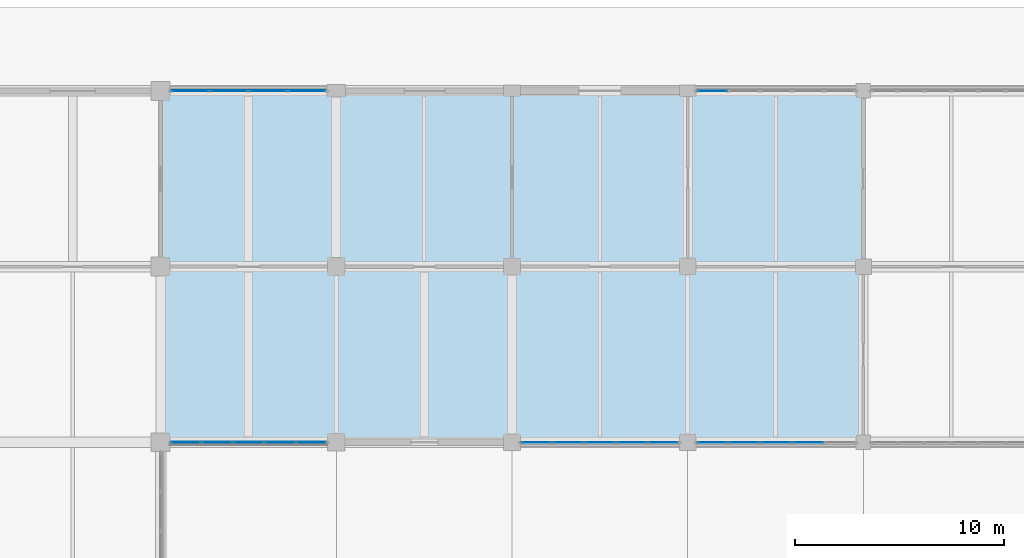
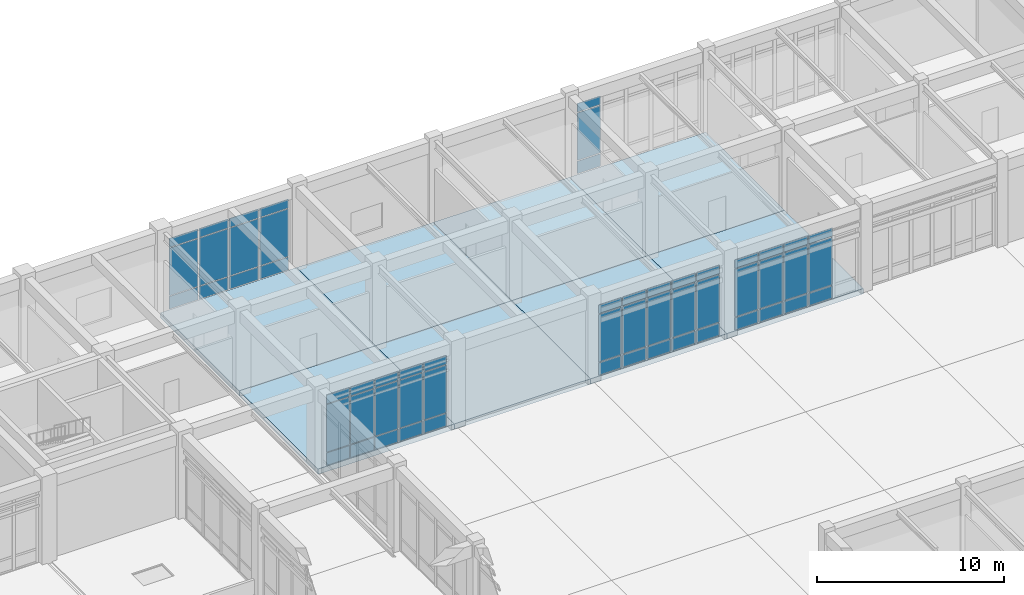
# One storey, part 63 of 91: 57 plates, 8 slabs, 5 elements without a shape of their own.
"""IFC4 building model written with IfcOpenShell, lengths in metres."""

from ifc_helpers import new_model, si_unit, direction, frame, origin, origin_2d, place, context, subcontext, project, spatial, polyline, rectangle, outline, extrude, material, layer, layer_set, type_object, element, aggregate, save


model = new_model("IFC4")

# Units and contexts
model_context = context("Model", 3, precision=1e-05, world=origin(), true_north=direction((0.0, 1.0)))
body_context = subcontext(model_context, "Body", "Model", "MODEL_VIEW")
ifc_project = project(units=[si_unit("LENGTHUNIT", "METRE"), si_unit("AREAUNIT", "SQUARE_METRE"), si_unit("VOLUMEUNIT", "CUBIC_METRE"), si_unit("PLANEANGLEUNIT", "RADIAN"), si_unit("MASSUNIT", "GRAM", prefix="KILO")], contexts=[model_context])

# Site, building, storey
site_placement = place(None, origin())
site = spatial("IfcSite", under=ifc_project, at=site_placement, CompositionType="ELEMENT")
building_placement = place(site_placement, origin())
building = spatial("IfcBuilding", under=site, at=building_placement, Name="Porcellanite Civic Hall", CompositionType="ELEMENT")
storey_placement = place(building_placement, origin())
storey = spatial("IfcBuildingStorey", under=building, at=storey_placement, Name="L00", CompositionType="ELEMENT", Elevation=0.0)

# Curtain wall, plates
ifc_material_1 = material(Name="Anodised aluminium and solar laminated glass", Category="aluminium")
ifc_layer_1 = layer(ifc_material_1, 0.179931640625)
ifc_layer_set_1 = layer_set([ifc_layer_1], Name="Anodised aluminium and solar laminated glass")
curtain_wall_type_1 = type_object("IfcCurtainWallType", Name="CW-SYS02", PredefinedType="NOTDEFINED", material=ifc_layer_set_1)
curtain_wall_1_placement = place(storey_placement, origin())
curtain_wall_1 = element("IfcCurtainWall", 1, at=curtain_wall_1_placement, inside=storey, type_object=curtain_wall_type_1, Name="Curtain wall CW-051", PredefinedType="NOTDEFINED")
ifc_material_2 = material(Name="Cyclone laminated solar-control low-E glass", Category="glass")
ifc_layer_2 = layer(ifc_material_2, 0.02587890625)
ifc_layer_set_2 = layer_set([ifc_layer_2], Name="Cyclone laminated solar-control low-E glass")
plate_type_1 = type_object("IfcPlateType", Name="CWP-02", PredefinedType="CURTAIN_PANEL", material=ifc_layer_set_2)
plate_1_placement = place(storey_placement, frame((150.0205078125, 100.800048828125, 0.06494140625), z_axis=(0.0, 0.0, 1.0), x_axis=(-1.0, 0.0, 0.0)))
plate_1 = element("IfcPlate", 2, at=plate_1_placement, type_object=plate_type_1, Name="CW-051 panel 1.1", PredefinedType="CURTAIN_PANEL", context=body_context, shape_type="SweptSolid", body=[
    extrude(rectangle(XDim=1.406982421875, YDim=0.02587890625, at=origin_2d()), origin(), (0.0, 0.0, 1.0), 0.802490234375),
])
plate_2_placement = place(storey_placement, frame((150.0205078125, 100.800048828125, 0.9326171875), z_axis=(0.0, 0.0, 1.0), x_axis=(-1.0, 0.0, 0.0)))
plate_2 = element("IfcPlate", 3, at=plate_2_placement, type_object=plate_type_1, Name="CW-051 panel 1.2", PredefinedType="CURTAIN_PANEL", context=body_context, shape_type="SweptSolid", body=[
    extrude(rectangle(XDim=1.406982421875, YDim=0.02587890625, at=origin_2d()), origin(), (0.0, 0.0, 1.0), 3.0849609375),
])
plate_3_placement = place(storey_placement, frame((150.0205078125, 100.800048828125, 4.08251953125), z_axis=(0.0, 0.0, 1.0), x_axis=(-1.0, 0.0, 0.0)))
plate_3 = element("IfcPlate", 4, at=plate_3_placement, type_object=plate_type_1, Name="CW-051 panel 1.3", PredefinedType="CURTAIN_PANEL", context=body_context, shape_type="SweptSolid", body=[
    extrude(rectangle(XDim=1.406982421875, YDim=0.02587890625, at=origin_2d()), origin(), (0.0, 0.0, 1.0), 0.552490234375),
])
plate_4_placement = place(storey_placement, frame((148.51953125, 100.800048828125, 0.06494140625), z_axis=(0.0, 0.0, 1.0), x_axis=(-1.0, 0.0, 0.0)))
plate_4 = element("IfcPlate", 5, at=plate_4_placement, type_object=plate_type_1, Name="CW-051 panel 2.1", PredefinedType="CURTAIN_PANEL", context=body_context, shape_type="SweptSolid", body=[
    extrude(rectangle(XDim=1.444580078125, YDim=0.02587890625, at=origin_2d()), origin(), (0.0, 0.0, 1.0), 0.802490234375),
])
plate_5_placement = place(storey_placement, frame((148.51953125, 100.800048828125, 0.9326171875), z_axis=(0.0, 0.0, 1.0), x_axis=(-1.0, 0.0, 0.0)))
plate_5 = element("IfcPlate", 6, at=plate_5_placement, type_object=plate_type_1, Name="CW-051 panel 2.2", PredefinedType="CURTAIN_PANEL", context=body_context, shape_type="SweptSolid", body=[
    extrude(rectangle(XDim=1.444580078125, YDim=0.02587890625, at=origin_2d()), origin(), (0.0, 0.0, 1.0), 3.0849609375),
])
plate_6_placement = place(storey_placement, frame((148.51953125, 100.800048828125, 4.08251953125), z_axis=(0.0, 0.0, 1.0), x_axis=(-1.0, 0.0, 0.0)))
plate_6 = element("IfcPlate", 7, at=plate_6_placement, type_object=plate_type_1, Name="CW-051 panel 2.3", PredefinedType="CURTAIN_PANEL", context=body_context, shape_type="SweptSolid", body=[
    extrude(rectangle(XDim=1.444580078125, YDim=0.02587890625, at=origin_2d()), origin(), (0.0, 0.0, 1.0), 0.552490234375),
])
plate_7_placement = place(storey_placement, frame((147.0, 100.800048828125, 0.06494140625), z_axis=(0.0, 0.0, 1.0), x_axis=(-1.0, 0.0, 0.0)))
plate_7 = element("IfcPlate", 8, at=plate_7_placement, type_object=plate_type_1, Name="CW-051 panel 3.1", PredefinedType="CURTAIN_PANEL", context=body_context, shape_type="SweptSolid", body=[
    extrude(rectangle(XDim=1.444580078125, YDim=0.02587890625, at=origin_2d()), origin(), (0.0, 0.0, 1.0), 0.802490234375),
])
plate_8_placement = place(storey_placement, frame((147.0, 100.800048828125, 0.9326171875), z_axis=(0.0, 0.0, 1.0), x_axis=(-1.0, 0.0, 0.0)))
plate_8 = element("IfcPlate", 9, at=plate_8_placement, type_object=plate_type_1, Name="CW-051 panel 3.2", PredefinedType="CURTAIN_PANEL", context=body_context, shape_type="SweptSolid", body=[
    extrude(rectangle(XDim=1.444580078125, YDim=0.02587890625, at=origin_2d()), origin(), (0.0, 0.0, 1.0), 3.0849609375),
])
plate_9_placement = place(storey_placement, frame((147.0, 100.800048828125, 4.08251953125), z_axis=(0.0, 0.0, 1.0), x_axis=(-1.0, 0.0, 0.0)))
plate_9 = element("IfcPlate", 10, at=plate_9_placement, type_object=plate_type_1, Name="CW-051 panel 3.3", PredefinedType="CURTAIN_PANEL", context=body_context, shape_type="SweptSolid", body=[
    extrude(rectangle(XDim=1.444580078125, YDim=0.02587890625, at=origin_2d()), origin(), (0.0, 0.0, 1.0), 0.552490234375),
])
plate_10_placement = place(storey_placement, frame((145.48046875, 100.800048828125, 0.06494140625), z_axis=(0.0, 0.0, 1.0), x_axis=(-1.0, 0.0, 0.0)))
plate_10 = element("IfcPlate", 11, at=plate_10_placement, type_object=plate_type_1, Name="CW-051 panel 4.1", PredefinedType="CURTAIN_PANEL", context=body_context, shape_type="SweptSolid", body=[
    extrude(rectangle(XDim=1.444580078125, YDim=0.02587890625, at=origin_2d()), origin(), (0.0, 0.0, 1.0), 0.802490234375),
])
plate_11_placement = place(storey_placement, frame((145.48046875, 100.800048828125, 0.9326171875), z_axis=(0.0, 0.0, 1.0), x_axis=(-1.0, 0.0, 0.0)))
plate_11 = element("IfcPlate", 12, at=plate_11_placement, type_object=plate_type_1, Name="CW-051 panel 4.2", PredefinedType="CURTAIN_PANEL", context=body_context, shape_type="SweptSolid", body=[
    extrude(rectangle(XDim=1.444580078125, YDim=0.02587890625, at=origin_2d()), origin(), (0.0, 0.0, 1.0), 3.0849609375),
])
plate_12_placement = place(storey_placement, frame((145.48046875, 100.800048828125, 4.08251953125), z_axis=(0.0, 0.0, 1.0), x_axis=(-1.0, 0.0, 0.0)))
plate_12 = element("IfcPlate", 13, at=plate_12_placement, type_object=plate_type_1, Name="CW-051 panel 4.3", PredefinedType="CURTAIN_PANEL", context=body_context, shape_type="SweptSolid", body=[
    extrude(rectangle(XDim=1.444580078125, YDim=0.02587890625, at=origin_2d()), origin(), (0.0, 0.0, 1.0), 0.552490234375),
])
plate_13_placement = place(storey_placement, frame((143.9794921875, 100.800048828125, 0.06494140625), z_axis=(0.0, 0.0, 1.0), x_axis=(-1.0, 0.0, 0.0)))
plate_13 = element("IfcPlate", 14, at=plate_13_placement, type_object=plate_type_1, Name="CW-051 panel 5.1", PredefinedType="CURTAIN_PANEL", context=body_context, shape_type="SweptSolid", body=[
    extrude(rectangle(XDim=1.406982421875, YDim=0.02587890625, at=origin_2d()), origin(), (0.0, 0.0, 1.0), 0.802490234375),
])
plate_14_placement = place(storey_placement, frame((143.9794921875, 100.800048828125, 0.9326171875), z_axis=(0.0, 0.0, 1.0), x_axis=(-1.0, 0.0, 0.0)))
plate_14 = element("IfcPlate", 15, at=plate_14_placement, type_object=plate_type_1, Name="CW-051 panel 5.2", PredefinedType="CURTAIN_PANEL", context=body_context, shape_type="SweptSolid", body=[
    extrude(rectangle(XDim=1.406982421875, YDim=0.02587890625, at=origin_2d()), origin(), (0.0, 0.0, 1.0), 3.0849609375),
])
plate_15_placement = place(storey_placement, frame((143.9794921875, 100.800048828125, 4.08251953125), z_axis=(0.0, 0.0, 1.0), x_axis=(-1.0, 0.0, 0.0)))
plate_15 = element("IfcPlate", 16, at=plate_15_placement, type_object=plate_type_1, Name="CW-051 panel 5.3", PredefinedType="CURTAIN_PANEL", context=body_context, shape_type="SweptSolid", body=[
    extrude(rectangle(XDim=1.406982421875, YDim=0.02587890625, at=origin_2d()), origin(), (0.0, 0.0, 1.0), 0.552490234375),
])
aggregate(curtain_wall_1, [plate_1, plate_2, plate_3, plate_4, plate_5, plate_6, plate_7, plate_8, plate_9, plate_10, plate_11, plate_12, plate_13, plate_14, plate_15])

curtain_wall_2_placement = place(storey_placement, origin())
curtain_wall_2 = element("IfcCurtainWall", 17, at=curtain_wall_2_placement, inside=storey, type_object=curtain_wall_type_1, Name="Curtain wall CW-052", PredefinedType="NOTDEFINED")
plate_16_placement = place(storey_placement, frame((156.95458984375, 100.800048828125, 0.06494140625), z_axis=(0.0, 0.0, 1.0), x_axis=(-1.0, 0.0, 0.0)))
plate_16 = element("IfcPlate", 18, at=plate_16_placement, type_object=plate_type_1, Name="CW-052 panel 2.1", PredefinedType="CURTAIN_PANEL", context=body_context, shape_type="SweptSolid", body=[
    extrude(rectangle(XDim=1.45458984375, YDim=0.02587890625, at=origin_2d()), origin(), (0.0, 0.0, 1.0), 0.802490234375),
])
plate_17_placement = place(storey_placement, frame((156.95458984375, 100.800048828125, 0.9326171875), z_axis=(0.0, 0.0, 1.0), x_axis=(-1.0, 0.0, 0.0)))
plate_17 = element("IfcPlate", 19, at=plate_17_placement, type_object=plate_type_1, Name="CW-052 panel 2.2", PredefinedType="CURTAIN_PANEL", context=body_context, shape_type="SweptSolid", body=[
    extrude(rectangle(XDim=1.45458984375, YDim=0.02587890625, at=origin_2d()), origin(), (0.0, 0.0, 1.0), 3.0849609375),
])
plate_18_placement = place(storey_placement, frame((156.95458984375, 100.800048828125, 4.08251953125), z_axis=(0.0, 0.0, 1.0), x_axis=(-1.0, 0.0, 0.0)))
plate_18 = element("IfcPlate", 20, at=plate_18_placement, type_object=plate_type_1, Name="CW-052 panel 2.3", PredefinedType="CURTAIN_PANEL", context=body_context, shape_type="SweptSolid", body=[
    extrude(rectangle(XDim=1.45458984375, YDim=0.02587890625, at=origin_2d()), origin(), (0.0, 0.0, 1.0), 0.552490234375),
])
plate_19_placement = place(storey_placement, frame((155.425048828125, 100.800048828125, 0.06494140625), z_axis=(0.0, 0.0, 1.0), x_axis=(-1.0, 0.0, 0.0)))
plate_19 = element("IfcPlate", 21, at=plate_19_placement, type_object=plate_type_1, Name="CW-052 panel 3.1", PredefinedType="CURTAIN_PANEL", context=body_context, shape_type="SweptSolid", body=[
    extrude(rectangle(XDim=1.45458984375, YDim=0.02587890625, at=origin_2d()), origin(), (0.0, 0.0, 1.0), 0.802490234375),
])
plate_20_placement = place(storey_placement, frame((155.425048828125, 100.800048828125, 0.9326171875), z_axis=(0.0, 0.0, 1.0), x_axis=(-1.0, 0.0, 0.0)))
plate_20 = element("IfcPlate", 22, at=plate_20_placement, type_object=plate_type_1, Name="CW-052 panel 3.2", PredefinedType="CURTAIN_PANEL", context=body_context, shape_type="SweptSolid", body=[
    extrude(rectangle(XDim=1.45458984375, YDim=0.02587890625, at=origin_2d()), origin(), (0.0, 0.0, 1.0), 3.0849609375),
])
plate_21_placement = place(storey_placement, frame((155.425048828125, 100.800048828125, 4.08251953125), z_axis=(0.0, 0.0, 1.0), x_axis=(-1.0, 0.0, 0.0)))
plate_21 = element("IfcPlate", 23, at=plate_21_placement, type_object=plate_type_1, Name="CW-052 panel 3.3", PredefinedType="CURTAIN_PANEL", context=body_context, shape_type="SweptSolid", body=[
    extrude(rectangle(XDim=1.45458984375, YDim=0.02587890625, at=origin_2d()), origin(), (0.0, 0.0, 1.0), 0.552490234375),
])
plate_22_placement = place(storey_placement, frame((153.8955078125, 100.800048828125, 0.06494140625), z_axis=(0.0, 0.0, 1.0), x_axis=(-1.0, 0.0, 0.0)))
plate_22 = element("IfcPlate", 24, at=plate_22_placement, type_object=plate_type_1, Name="CW-052 panel 4.1", PredefinedType="CURTAIN_PANEL", context=body_context, shape_type="SweptSolid", body=[
    extrude(rectangle(XDim=1.45458984375, YDim=0.02587890625, at=origin_2d()), origin(), (0.0, 0.0, 1.0), 0.802490234375),
])
plate_23_placement = place(storey_placement, frame((153.8955078125, 100.800048828125, 0.9326171875), z_axis=(0.0, 0.0, 1.0), x_axis=(-1.0, 0.0, 0.0)))
plate_23 = element("IfcPlate", 25, at=plate_23_placement, type_object=plate_type_1, Name="CW-052 panel 4.2", PredefinedType="CURTAIN_PANEL", context=body_context, shape_type="SweptSolid", body=[
    extrude(rectangle(XDim=1.45458984375, YDim=0.02587890625, at=origin_2d()), origin(), (0.0, 0.0, 1.0), 3.0849609375),
])
plate_24_placement = place(storey_placement, frame((153.8955078125, 100.800048828125, 4.08251953125), z_axis=(0.0, 0.0, 1.0), x_axis=(-1.0, 0.0, 0.0)))
plate_24 = element("IfcPlate", 26, at=plate_24_placement, type_object=plate_type_1, Name="CW-052 panel 4.3", PredefinedType="CURTAIN_PANEL", context=body_context, shape_type="SweptSolid", body=[
    extrude(rectangle(XDim=1.45458984375, YDim=0.02587890625, at=origin_2d()), origin(), (0.0, 0.0, 1.0), 0.552490234375),
])
plate_25_placement = place(storey_placement, frame((152.384521484375, 100.800048828125, 0.06494140625), z_axis=(0.0, 0.0, 1.0), x_axis=(-1.0, 0.0, 0.0)))
plate_25 = element("IfcPlate", 27, at=plate_25_placement, type_object=plate_type_1, Name="CW-052 panel 5.1", PredefinedType="CURTAIN_PANEL", context=body_context, shape_type="SweptSolid", body=[
    extrude(rectangle(XDim=1.4169921875, YDim=0.02587890625, at=origin_2d()), origin(), (0.0, 0.0, 1.0), 0.802490234375),
])
plate_26_placement = place(storey_placement, frame((152.384521484375, 100.800048828125, 0.9326171875), z_axis=(0.0, 0.0, 1.0), x_axis=(-1.0, 0.0, 0.0)))
plate_26 = element("IfcPlate", 28, at=plate_26_placement, type_object=plate_type_1, Name="CW-052 panel 5.2", PredefinedType="CURTAIN_PANEL", context=body_context, shape_type="SweptSolid", body=[
    extrude(rectangle(XDim=1.4169921875, YDim=0.02587890625, at=origin_2d()), origin(), (0.0, 0.0, 1.0), 3.0849609375),
])
plate_27_placement = place(storey_placement, frame((152.384521484375, 100.800048828125, 4.08251953125), z_axis=(0.0, 0.0, 1.0), x_axis=(-1.0, 0.0, 0.0)))
plate_27 = element("IfcPlate", 29, at=plate_27_placement, type_object=plate_type_1, Name="CW-052 panel 5.3", PredefinedType="CURTAIN_PANEL", context=body_context, shape_type="SweptSolid", body=[
    extrude(rectangle(XDim=1.4169921875, YDim=0.02587890625, at=origin_2d()), origin(), (0.0, 0.0, 1.0), 0.552490234375),
])
aggregate(curtain_wall_2, [plate_16, plate_17, plate_18, plate_19, plate_20, plate_21, plate_22, plate_23, plate_24, plate_25, plate_26, plate_27])

curtain_wall_3_placement = place(storey_placement, origin())
curtain_wall_3 = element("IfcCurtainWall", 30, at=curtain_wall_3_placement, inside=storey, type_object=curtain_wall_type_1, Name="Curtain wall CW-053", PredefinedType="NOTDEFINED")
plate_28_placement = place(storey_placement, frame((152.384521484375, 117.60009765625, 0.06494140625), z_axis=(0.0, 0.0, 1.0), x_axis=(1.0, 0.0, 0.0)))
plate_28 = element("IfcPlate", 31, at=plate_28_placement, type_object=plate_type_1, Name="CW-053 panel 1.1", PredefinedType="CURTAIN_PANEL", context=body_context, shape_type="SweptSolid", body=[
    extrude(rectangle(XDim=1.4169921875, YDim=0.02587890625, at=origin_2d()), origin(), (0.0, 0.0, 1.0), 0.802490234375),
])
plate_29_placement = place(storey_placement, frame((152.384521484375, 117.60009765625, 0.9326171875), z_axis=(0.0, 0.0, 1.0), x_axis=(1.0, 0.0, 0.0)))
plate_29 = element("IfcPlate", 32, at=plate_29_placement, type_object=plate_type_1, Name="CW-053 panel 1.2", PredefinedType="CURTAIN_PANEL", context=body_context, shape_type="SweptSolid", body=[
    extrude(rectangle(XDim=1.4169921875, YDim=0.02587890625, at=origin_2d()), origin(), (0.0, 0.0, 1.0), 3.0849609375),
])
plate_30_placement = place(storey_placement, frame((152.384521484375, 117.60009765625, 4.08251953125), z_axis=(0.0, 0.0, 1.0), x_axis=(1.0, 0.0, 0.0)))
plate_30 = element("IfcPlate", 33, at=plate_30_placement, type_object=plate_type_1, Name="CW-053 panel 1.3", PredefinedType="CURTAIN_PANEL", context=body_context, shape_type="SweptSolid", body=[
    extrude(rectangle(XDim=1.4169921875, YDim=0.02587890625, at=origin_2d()), origin(), (0.0, 0.0, 1.0), 0.552490234375),
])
aggregate(curtain_wall_3, [plate_28, plate_29, plate_30])

ifc_material_3 = material(Name="Anodised aluminium and solar laminated glass", Category="aluminium")
ifc_layer_3 = layer(ifc_material_3, 0.179931640625)
ifc_layer_set_3 = layer_set([ifc_layer_3], Name="Anodised aluminium and solar laminated glass")
curtain_wall_type_2 = type_object("IfcCurtainWallType", Name="CW-SYS01", PredefinedType="NOTDEFINED", material=ifc_layer_set_3)
curtain_wall_4_placement = place(storey_placement, origin())
curtain_wall_4 = element("IfcCurtainWall", 34, at=curtain_wall_4_placement, inside=storey, type_object=curtain_wall_type_2, Name="Curtain wall CW-047", PredefinedType="NOTDEFINED")
ifc_material_4 = material(Name="Insulated ochre aluminium spandrel panel", Category="aluminium")
ifc_layer_4 = layer(ifc_material_4, 0.0380859375)
ifc_layer_set_4 = layer_set([ifc_layer_4], Name="Insulated ochre aluminium spandrel panel")
plate_type_2 = type_object("IfcPlateType", Name="CWP-08", PredefinedType="CURTAIN_PANEL", material=ifc_layer_set_4)
plate_31_placement = place(storey_placement, frame((133.2041015625, 100.800048828125, 0.06005859375), z_axis=(0.0, 0.0, 1.0), x_axis=(-1.0, 0.0, 0.0)))
plate_31 = element("IfcPlate", 35, at=plate_31_placement, type_object=plate_type_2, Name="CW-047 panel 1.1", PredefinedType="CURTAIN_PANEL", context=body_context, shape_type="SweptSolid", body=[
    extrude(rectangle(XDim=1.399658203125, YDim=0.0380859375, at=origin_2d()), origin(), (0.0, 0.0, 1.0), 0.81005859375),
])
plate_32_placement = place(storey_placement, frame((133.2041015625, 100.800048828125, 0.93017578125), z_axis=(0.0, 0.0, 1.0), x_axis=(-1.0, 0.0, 0.0)))
plate_32 = element("IfcPlate", 36, at=plate_32_placement, type_object=plate_type_2, Name="CW-047 panel 1.2", PredefinedType="CURTAIN_PANEL", context=body_context, shape_type="SweptSolid", body=[
    extrude(rectangle(XDim=1.399658203125, YDim=0.0380859375, at=origin_2d()), origin(), (0.0, 0.0, 1.0), 3.090087890625),
])
plate_33_placement = place(storey_placement, frame((133.2041015625, 100.800048828125, 4.080078125), z_axis=(0.0, 0.0, 1.0), x_axis=(-1.0, 0.0, 0.0)))
plate_33 = element("IfcPlate", 37, at=plate_33_placement, type_object=plate_type_2, Name="CW-047 panel 1.3", PredefinedType="CURTAIN_PANEL", context=body_context, shape_type="SweptSolid", body=[
    extrude(rectangle(XDim=1.399658203125, YDim=0.0380859375, at=origin_2d()), origin(), (0.0, 0.0, 1.0), 0.56005859375),
])
plate_34_placement = place(storey_placement, frame((131.717041015625, 100.800048828125, 0.06005859375), z_axis=(0.0, 0.0, 1.0), x_axis=(-1.0, 0.0, 0.0)))
plate_34 = element("IfcPlate", 38, at=plate_34_placement, type_object=plate_type_2, Name="CW-047 panel 2.1", PredefinedType="CURTAIN_PANEL", context=body_context, shape_type="SweptSolid", body=[
    extrude(rectangle(XDim=1.4345703125, YDim=0.0380859375, at=origin_2d()), origin(), (0.0, 0.0, 1.0), 0.81005859375),
])
plate_35_placement = place(storey_placement, frame((131.717041015625, 100.800048828125, 0.93017578125), z_axis=(0.0, 0.0, 1.0), x_axis=(-1.0, 0.0, 0.0)))
plate_35 = element("IfcPlate", 39, at=plate_35_placement, type_object=plate_type_2, Name="CW-047 panel 2.2", PredefinedType="CURTAIN_PANEL", context=body_context, shape_type="SweptSolid", body=[
    extrude(rectangle(XDim=1.4345703125, YDim=0.0380859375, at=origin_2d()), origin(), (0.0, 0.0, 1.0), 3.090087890625),
])
plate_36_placement = place(storey_placement, frame((131.717041015625, 100.800048828125, 4.080078125), z_axis=(0.0, 0.0, 1.0), x_axis=(-1.0, 0.0, 0.0)))
plate_36 = element("IfcPlate", 40, at=plate_36_placement, type_object=plate_type_2, Name="CW-047 panel 2.3", PredefinedType="CURTAIN_PANEL", context=body_context, shape_type="SweptSolid", body=[
    extrude(rectangle(XDim=1.4345703125, YDim=0.0380859375, at=origin_2d()), origin(), (0.0, 0.0, 1.0), 0.56005859375),
])
plate_37_placement = place(storey_placement, frame((130.21240234375, 100.800048828125, 0.06005859375), z_axis=(0.0, 0.0, 1.0), x_axis=(-1.0, 0.0, 0.0)))
plate_37 = element("IfcPlate", 41, at=plate_37_placement, type_object=plate_type_2, Name="CW-047 panel 3.1", PredefinedType="CURTAIN_PANEL", context=body_context, shape_type="SweptSolid", body=[
    extrude(rectangle(XDim=1.4345703125, YDim=0.0380859375, at=origin_2d()), origin(), (0.0, 0.0, 1.0), 0.81005859375),
])
plate_38_placement = place(storey_placement, frame((130.21240234375, 100.800048828125, 0.93017578125), z_axis=(0.0, 0.0, 1.0), x_axis=(-1.0, 0.0, 0.0)))
plate_38 = element("IfcPlate", 42, at=plate_38_placement, type_object=plate_type_2, Name="CW-047 panel 3.2", PredefinedType="CURTAIN_PANEL", context=body_context, shape_type="SweptSolid", body=[
    extrude(rectangle(XDim=1.4345703125, YDim=0.0380859375, at=origin_2d()), origin(), (0.0, 0.0, 1.0), 3.090087890625),
])
plate_39_placement = place(storey_placement, frame((130.21240234375, 100.800048828125, 4.080078125), z_axis=(0.0, 0.0, 1.0), x_axis=(-1.0, 0.0, 0.0)))
plate_39 = element("IfcPlate", 43, at=plate_39_placement, type_object=plate_type_2, Name="CW-047 panel 3.3", PredefinedType="CURTAIN_PANEL", context=body_context, shape_type="SweptSolid", body=[
    extrude(rectangle(XDim=1.4345703125, YDim=0.0380859375, at=origin_2d()), origin(), (0.0, 0.0, 1.0), 0.56005859375),
])
plate_40_placement = place(storey_placement, frame((128.7080078125, 100.800048828125, 0.06005859375), z_axis=(0.0, 0.0, 1.0), x_axis=(-1.0, 0.0, 0.0)))
plate_40 = element("IfcPlate", 44, at=plate_40_placement, type_object=plate_type_2, Name="CW-047 panel 4.1", PredefinedType="CURTAIN_PANEL", context=body_context, shape_type="SweptSolid", body=[
    extrude(rectangle(XDim=1.4345703125, YDim=0.0380859375, at=origin_2d()), origin(), (0.0, 0.0, 1.0), 0.81005859375),
])
plate_41_placement = place(storey_placement, frame((128.7080078125, 100.800048828125, 0.93017578125), z_axis=(0.0, 0.0, 1.0), x_axis=(-1.0, 0.0, 0.0)))
plate_41 = element("IfcPlate", 45, at=plate_41_placement, type_object=plate_type_2, Name="CW-047 panel 4.2", PredefinedType="CURTAIN_PANEL", context=body_context, shape_type="SweptSolid", body=[
    extrude(rectangle(XDim=1.4345703125, YDim=0.0380859375, at=origin_2d()), origin(), (0.0, 0.0, 1.0), 3.090087890625),
])
plate_42_placement = place(storey_placement, frame((128.7080078125, 100.800048828125, 4.080078125), z_axis=(0.0, 0.0, 1.0), x_axis=(-1.0, 0.0, 0.0)))
plate_42 = element("IfcPlate", 46, at=plate_42_placement, type_object=plate_type_2, Name="CW-047 panel 4.3", PredefinedType="CURTAIN_PANEL", context=body_context, shape_type="SweptSolid", body=[
    extrude(rectangle(XDim=1.4345703125, YDim=0.0380859375, at=origin_2d()), origin(), (0.0, 0.0, 1.0), 0.56005859375),
])
plate_43_placement = place(storey_placement, frame((127.220703125, 100.800048828125, 0.06005859375), z_axis=(0.0, 0.0, 1.0), x_axis=(-1.0, 0.0, 0.0)))
plate_43 = element("IfcPlate", 47, at=plate_43_placement, type_object=plate_type_2, Name="CW-047 panel 5.1", PredefinedType="CURTAIN_PANEL", context=body_context, shape_type="SweptSolid", body=[
    extrude(rectangle(XDim=1.399658203125, YDim=0.0380859375, at=origin_2d()), origin(), (0.0, 0.0, 1.0), 0.81005859375),
])
plate_44_placement = place(storey_placement, frame((127.220703125, 100.800048828125, 0.93017578125), z_axis=(0.0, 0.0, 1.0), x_axis=(-1.0, 0.0, 0.0)))
plate_44 = element("IfcPlate", 48, at=plate_44_placement, type_object=plate_type_2, Name="CW-047 panel 5.2", PredefinedType="CURTAIN_PANEL", context=body_context, shape_type="SweptSolid", body=[
    extrude(rectangle(XDim=1.399658203125, YDim=0.0380859375, at=origin_2d()), origin(), (0.0, 0.0, 1.0), 3.090087890625),
])
plate_45_placement = place(storey_placement, frame((127.220703125, 100.800048828125, 4.080078125), z_axis=(0.0, 0.0, 1.0), x_axis=(-1.0, 0.0, 0.0)))
plate_45 = element("IfcPlate", 49, at=plate_45_placement, type_object=plate_type_2, Name="CW-047 panel 5.3", PredefinedType="CURTAIN_PANEL", context=body_context, shape_type="SweptSolid", body=[
    extrude(rectangle(XDim=1.399658203125, YDim=0.0380859375, at=origin_2d()), origin(), (0.0, 0.0, 1.0), 0.56005859375),
])
aggregate(curtain_wall_4, [plate_31, plate_32, plate_33, plate_34, plate_35, plate_36, plate_37, plate_38, plate_39, plate_40, plate_41, plate_42, plate_43, plate_44, plate_45])

ifc_material_5 = material(Name="Anodised aluminium and solar laminated glass", Category="aluminium")
ifc_layer_5 = layer(ifc_material_5, 0.179931640625)
ifc_layer_set_5 = layer_set([ifc_layer_5], Name="Anodised aluminium and solar laminated glass")
curtain_wall_type_3 = type_object("IfcCurtainWallType", Name="CW-SYS03", PredefinedType="NOTDEFINED", material=ifc_layer_set_5)
curtain_wall_5_placement = place(storey_placement, origin())
curtain_wall_5 = element("IfcCurtainWall", 50, at=curtain_wall_5_placement, inside=storey, type_object=curtain_wall_type_3, Name="Curtain wall CW-048", PredefinedType="NOTDEFINED")
ifc_material_6 = material(Name="Insulated ochre aluminium spandrel panel", Category="aluminium")
ifc_layer_6 = layer(ifc_material_6, 0.0419921875)
ifc_layer_set_6 = layer_set([ifc_layer_6], Name="Insulated ochre aluminium spandrel panel")
plate_type_3 = type_object("IfcPlateType", Name="CWP-09", PredefinedType="CURTAIN_PANEL", material=ifc_layer_set_6)
plate_46_placement = place(storey_placement, frame((127.408203125, 117.60009765625, 0.05517578125), z_axis=(0.0, 0.0, 1.0), x_axis=(1.0, 0.0, 0.0)))
plate_46 = element("IfcPlate", 51, at=plate_46_placement, type_object=plate_type_3, Name="CW-048 panel 1.1", PredefinedType="CURTAIN_PANEL", context=body_context, shape_type="SweptSolid", body=[
    extrude(rectangle(XDim=1.75439453125, YDim=0.0419921875, at=origin_2d()), origin(), (0.0, 0.0, 1.0), 0.8173828125),
])
plate_47_placement = place(storey_placement, frame((127.408203125, 117.60009765625, 0.927734375), z_axis=(0.0, 0.0, 1.0), x_axis=(1.0, 0.0, 0.0)))
plate_47 = element("IfcPlate", 52, at=plate_47_placement, type_object=plate_type_3, Name="CW-048 panel 1.2", PredefinedType="CURTAIN_PANEL", context=body_context, shape_type="SweptSolid", body=[
    extrude(rectangle(XDim=1.75439453125, YDim=0.0419921875, at=origin_2d()), origin(), (0.0, 0.0, 1.0), 3.094970703125),
])
plate_48_placement = place(storey_placement, frame((127.408203125, 117.60009765625, 4.07763671875), z_axis=(0.0, 0.0, 1.0), x_axis=(1.0, 0.0, 0.0)))
plate_48 = element("IfcPlate", 53, at=plate_48_placement, type_object=plate_type_3, Name="CW-048 panel 1.3", PredefinedType="CURTAIN_PANEL", context=body_context, shape_type="SweptSolid", body=[
    extrude(rectangle(XDim=1.75439453125, YDim=0.0419921875, at=origin_2d()), origin(), (0.0, 0.0, 1.0), 0.5673828125),
])
plate_49_placement = place(storey_placement, frame((129.2626953125, 117.60009765625, 0.05517578125), z_axis=(0.0, 0.0, 1.0), x_axis=(1.0, 0.0, 0.0)))
plate_49 = element("IfcPlate", 54, at=plate_49_placement, type_object=plate_type_3, Name="CW-048 panel 2.1", PredefinedType="CURTAIN_PANEL", context=body_context, shape_type="SweptSolid", body=[
    extrude(rectangle(XDim=1.79443359375, YDim=0.0419921875, at=origin_2d()), origin(), (0.0, 0.0, 1.0), 0.8173828125),
])
plate_50_placement = place(storey_placement, frame((129.2626953125, 117.60009765625, 0.927734375), z_axis=(0.0, 0.0, 1.0), x_axis=(1.0, 0.0, 0.0)))
plate_50 = element("IfcPlate", 55, at=plate_50_placement, type_object=plate_type_3, Name="CW-048 panel 2.2", PredefinedType="CURTAIN_PANEL", context=body_context, shape_type="SweptSolid", body=[
    extrude(rectangle(XDim=1.79443359375, YDim=0.0419921875, at=origin_2d()), origin(), (0.0, 0.0, 1.0), 3.094970703125),
])
plate_51_placement = place(storey_placement, frame((129.2626953125, 117.60009765625, 4.07763671875), z_axis=(0.0, 0.0, 1.0), x_axis=(1.0, 0.0, 0.0)))
plate_51 = element("IfcPlate", 56, at=plate_51_placement, type_object=plate_type_3, Name="CW-048 panel 2.3", PredefinedType="CURTAIN_PANEL", context=body_context, shape_type="SweptSolid", body=[
    extrude(rectangle(XDim=1.79443359375, YDim=0.0419921875, at=origin_2d()), origin(), (0.0, 0.0, 1.0), 0.5673828125),
])
plate_52_placement = place(storey_placement, frame((131.13720703125, 117.60009765625, 0.05517578125), z_axis=(0.0, 0.0, 1.0), x_axis=(1.0, 0.0, 0.0)))
plate_52 = element("IfcPlate", 57, at=plate_52_placement, type_object=plate_type_3, Name="CW-048 panel 3.1", PredefinedType="CURTAIN_PANEL", context=body_context, shape_type="SweptSolid", body=[
    extrude(rectangle(XDim=1.79443359375, YDim=0.0419921875, at=origin_2d()), origin(), (0.0, 0.0, 1.0), 0.8173828125),
])
plate_53_placement = place(storey_placement, frame((131.13720703125, 117.60009765625, 0.927734375), z_axis=(0.0, 0.0, 1.0), x_axis=(1.0, 0.0, 0.0)))
plate_53 = element("IfcPlate", 58, at=plate_53_placement, type_object=plate_type_3, Name="CW-048 panel 3.2", PredefinedType="CURTAIN_PANEL", context=body_context, shape_type="SweptSolid", body=[
    extrude(rectangle(XDim=1.79443359375, YDim=0.0419921875, at=origin_2d()), origin(), (0.0, 0.0, 1.0), 3.094970703125),
])
plate_54_placement = place(storey_placement, frame((131.13720703125, 117.60009765625, 4.07763671875), z_axis=(0.0, 0.0, 1.0), x_axis=(1.0, 0.0, 0.0)))
plate_54 = element("IfcPlate", 59, at=plate_54_placement, type_object=plate_type_3, Name="CW-048 panel 3.3", PredefinedType="CURTAIN_PANEL", context=body_context, shape_type="SweptSolid", body=[
    extrude(rectangle(XDim=1.79443359375, YDim=0.0419921875, at=origin_2d()), origin(), (0.0, 0.0, 1.0), 0.5673828125),
])
plate_55_placement = place(storey_placement, frame((132.99169921875, 117.60009765625, 0.05517578125), z_axis=(0.0, 0.0, 1.0), x_axis=(1.0, 0.0, 0.0)))
plate_55 = element("IfcPlate", 60, at=plate_55_placement, type_object=plate_type_3, Name="CW-048 panel 4.1", PredefinedType="CURTAIN_PANEL", context=body_context, shape_type="SweptSolid", body=[
    extrude(rectangle(XDim=1.75439453125, YDim=0.0419921875, at=origin_2d()), origin(), (0.0, 0.0, 1.0), 0.8173828125),
])
plate_56_placement = place(storey_placement, frame((132.99169921875, 117.60009765625, 0.927734375), z_axis=(0.0, 0.0, 1.0), x_axis=(1.0, 0.0, 0.0)))
plate_56 = element("IfcPlate", 61, at=plate_56_placement, type_object=plate_type_3, Name="CW-048 panel 4.2", PredefinedType="CURTAIN_PANEL", context=body_context, shape_type="SweptSolid", body=[
    extrude(rectangle(XDim=1.75439453125, YDim=0.0419921875, at=origin_2d()), origin(), (0.0, 0.0, 1.0), 3.094970703125),
])
plate_57_placement = place(storey_placement, frame((132.99169921875, 117.60009765625, 4.07763671875), z_axis=(0.0, 0.0, 1.0), x_axis=(1.0, 0.0, 0.0)))
plate_57 = element("IfcPlate", 62, at=plate_57_placement, type_object=plate_type_3, Name="CW-048 panel 4.3", PredefinedType="CURTAIN_PANEL", context=body_context, shape_type="SweptSolid", body=[
    extrude(rectangle(XDim=1.75439453125, YDim=0.0419921875, at=origin_2d()), origin(), (0.0, 0.0, 1.0), 0.5673828125),
])
aggregate(curtain_wall_5, [plate_46, plate_47, plate_48, plate_49, plate_50, plate_51, plate_52, plate_53, plate_54, plate_55, plate_56, plate_57])

# Slabs
ifc_material_7 = material(Name="Concrete N40 (40 MPa)", Category="concrete")
ifc_layer_7 = layer(ifc_material_7, 0.35009765625)
ifc_layer_set_7 = layer_set([ifc_layer_7], Name="Concrete N40 (40 MPa)")
slab_type = type_object("IfcSlabType", Name="SL-BASE350", PredefinedType="BASESLAB", material=ifc_layer_set_7)
slab_1_placement = place(storey_placement, frame((0.0, 0.0, -0.35009765625)))
element("IfcSlab", 63, at=slab_1_placement, inside=storey, type_object=slab_type, Name="Slab L00 bay 16-13", PredefinedType="BASESLAB", context=body_context, shape_type="SweptSolid", body=[
    extrude(outline(polyline([(126.0, 100.800048828125), (134.39990234375, 100.800048828125), (134.39990234375, 109.199951171875), (126.0, 109.199951171875), (126.0, 100.800048828125)])), origin(), (0.0, 0.0, 1.0), 0.35009765625),
])
slab_2_placement = place(storey_placement, frame((0.0, 0.0, -0.35009765625)))
element("IfcSlab", 64, at=slab_2_placement, inside=storey, type_object=slab_type, Name="Slab L00 bay 16-14", PredefinedType="BASESLAB", context=body_context, shape_type="SweptSolid", body=[
    extrude(outline(polyline([(126.0, 109.199951171875), (134.39990234375, 109.199951171875), (134.39990234375, 117.60009765625), (126.0, 117.60009765625), (126.0, 109.199951171875)])), origin(), (0.0, 0.0, 1.0), 0.35009765625),
])
slab_3_placement = place(storey_placement, frame((0.0, 0.0, -0.35009765625)))
element("IfcSlab", 65, at=slab_3_placement, inside=storey, type_object=slab_type, Name="Slab L00 bay 17-13", PredefinedType="BASESLAB", context=body_context, shape_type="SweptSolid", body=[
    extrude(outline(polyline([(134.39990234375, 100.800048828125), (142.800048828125, 100.800048828125), (142.800048828125, 109.199951171875), (134.39990234375, 109.199951171875), (134.39990234375, 100.800048828125)])), origin(), (0.0, 0.0, 1.0), 0.35009765625),
])
slab_4_placement = place(storey_placement, frame((0.0, 0.0, -0.35009765625)))
element("IfcSlab", 66, at=slab_4_placement, inside=storey, type_object=slab_type, Name="Slab L00 bay 17-14", PredefinedType="BASESLAB", context=body_context, shape_type="SweptSolid", body=[
    extrude(outline(polyline([(134.39990234375, 109.199951171875), (142.800048828125, 109.199951171875), (142.800048828125, 117.60009765625), (134.39990234375, 117.60009765625), (134.39990234375, 109.199951171875)])), origin(), (0.0, 0.0, 1.0), 0.35009765625),
])
slab_5_placement = place(storey_placement, frame((0.0, 0.0, -0.35009765625)))
element("IfcSlab", 67, at=slab_5_placement, inside=storey, type_object=slab_type, Name="Slab L00 bay 18-13", PredefinedType="BASESLAB", context=body_context, shape_type="SweptSolid", body=[
    extrude(outline(polyline([(142.800048828125, 100.800048828125), (151.199951171875, 100.800048828125), (151.199951171875, 109.199951171875), (142.800048828125, 109.199951171875), (142.800048828125, 100.800048828125)])), origin(), (0.0, 0.0, 1.0), 0.35009765625),
])
slab_6_placement = place(storey_placement, frame((0.0, 0.0, -0.35009765625)))
element("IfcSlab", 68, at=slab_6_placement, inside=storey, type_object=slab_type, Name="Slab L00 bay 18-14", PredefinedType="BASESLAB", context=body_context, shape_type="SweptSolid", body=[
    extrude(outline(polyline([(142.800048828125, 109.199951171875), (151.199951171875, 109.199951171875), (151.199951171875, 117.60009765625), (142.800048828125, 117.60009765625), (142.800048828125, 109.199951171875)])), origin(), (0.0, 0.0, 1.0), 0.35009765625),
])
slab_7_placement = place(storey_placement, frame((0.0, 0.0, -0.35009765625)))
element("IfcSlab", 69, at=slab_7_placement, inside=storey, type_object=slab_type, Name="Slab L00 bay 19-13", PredefinedType="BASESLAB", context=body_context, shape_type="SweptSolid", body=[
    extrude(outline(polyline([(151.199951171875, 100.800048828125), (159.60009765625, 100.800048828125), (159.60009765625, 109.199951171875), (151.199951171875, 109.199951171875), (151.199951171875, 100.800048828125)])), origin(), (0.0, 0.0, 1.0), 0.35009765625),
])
slab_8_placement = place(storey_placement, frame((0.0, 0.0, -0.35009765625)))
element("IfcSlab", 70, at=slab_8_placement, inside=storey, type_object=slab_type, Name="Slab L00 bay 19-14", PredefinedType="BASESLAB", context=body_context, shape_type="SweptSolid", body=[
    extrude(outline(polyline([(151.199951171875, 109.199951171875), (159.60009765625, 109.199951171875), (159.60009765625, 117.60009765625), (151.199951171875, 117.60009765625), (151.199951171875, 109.199951171875)])), origin(), (0.0, 0.0, 1.0), 0.35009765625),
])

save(model, "model.ifc")
